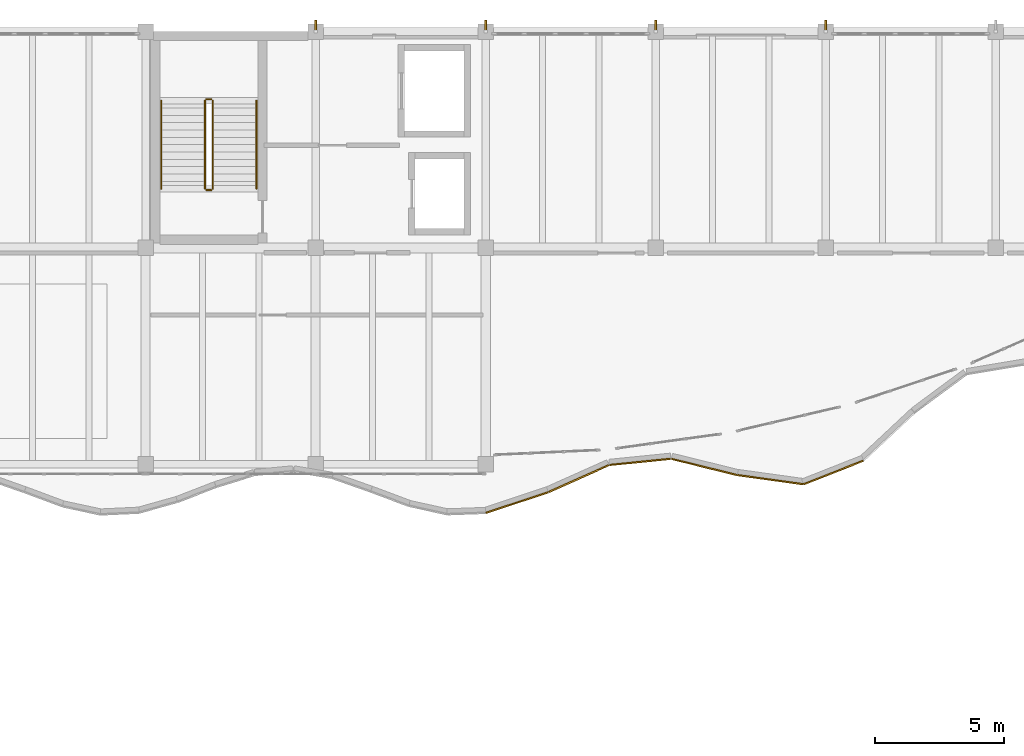
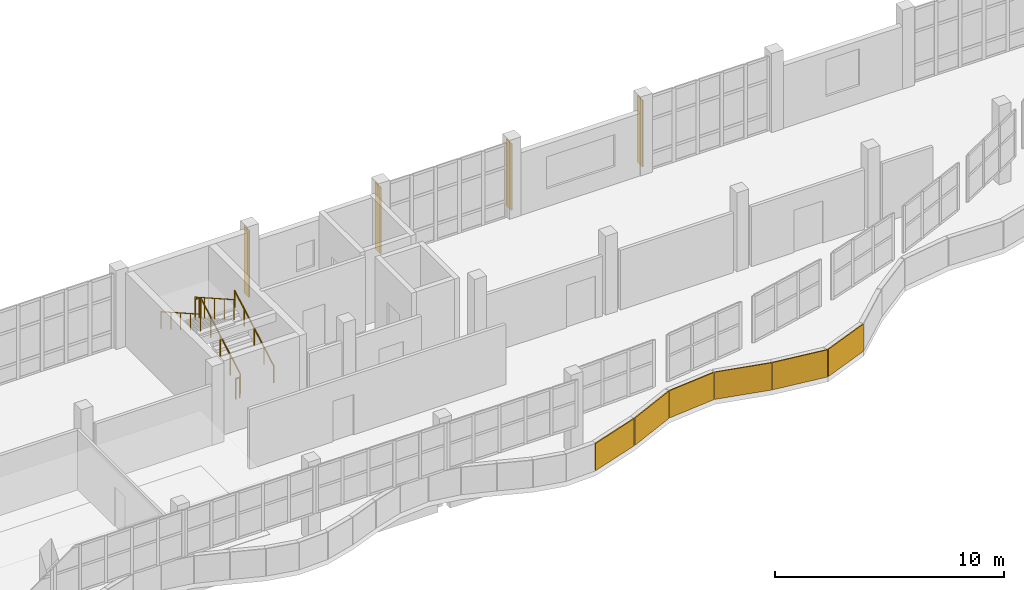
# One storey, part 69 of 74: 6 coverings, 6 railings, 4 shading devices.
"""IFC4 building model written with IfcOpenShell, lengths in metres."""

from ifc_helpers import new_model, si_unit, direction, frame, origin, origin_2d, place, context, subcontext, project, spatial, rectangle, circle, extrude, material, layer, layer_set, type_object, element, save


model = new_model("IFC4")

# Units and contexts
model_context = context("Model", 3, precision=1e-05, world=origin(), true_north=direction((0.0, 1.0)))
body_context = subcontext(model_context, "Body", "Model", "MODEL_VIEW")
ifc_project = project(units=[si_unit("LENGTHUNIT", "METRE"), si_unit("AREAUNIT", "SQUARE_METRE"), si_unit("VOLUMEUNIT", "CUBIC_METRE"), si_unit("PLANEANGLEUNIT", "RADIAN"), si_unit("MASSUNIT", "GRAM", prefix="KILO")], contexts=[model_context])

# Site, building, storey
site_placement = place(None, origin())
site = spatial("IfcSite", under=ifc_project, at=site_placement, CompositionType="ELEMENT")
building_placement = place(site_placement, origin())
building = spatial("IfcBuilding", under=site, at=building_placement, Name="Qaldarim Faculty of Natural and Applied Sciences", CompositionType="ELEMENT")
storey_placement = place(building_placement, frame((0.0, 0.0, 14.39990234375)))
storey = spatial("IfcBuildingStorey", under=building, at=storey_placement, Name="L03", CompositionType="ELEMENT", Elevation=14.39990234375)

# Railings
ifc_material_1 = material(Name="Architectural stainless steel 316", Category="steel")
railing_type_1 = type_object("IfcRailingType", Name="GuardBalustrade-1100", PredefinedType="BALUSTRADE", material=ifc_material_1)
railing_1_placement = place(storey_placement, frame((101.60009765625, 111.5, 0.16015625)))
element("IfcRailing", 1, at=railing_1_placement, inside=storey, type_object=railing_type_1, Name="ST-B1 L03 stair well guard 1", PredefinedType="BALUSTRADE", context=body_context, shape_type="SweptSolid", body=[
    extrude(circle(Radius=0.02392578125, at=origin_2d()), frame((0.0, 0.0, 1.076171875), z_axis=(0.0, 0.869805479697, 0.493394798806), x_axis=(-1.0, 0.0, 0.0)), (0.0, 0.0, 1.0), 3.931884765625),
    extrude(circle(Radius=0.02099609375, at=origin_2d()), origin(), (0.0, 0.0, 1.0), 1.052001953125),
    extrude(circle(Radius=0.02099609375, at=origin_2d()), frame((0.0, 0.85498046875, 0.48486328125)), (0.0, 0.0, 1.0), 1.052001953125),
    extrude(circle(Radius=0.02099609375, at=origin_2d()), frame((0.0, 1.7099609375, 0.969970703125)), (0.0, 0.0, 1.0), 1.052001953125),
    extrude(circle(Radius=0.02099609375, at=origin_2d()), frame((0.0, 2.56494140625, 1.455078125)), (0.0, 0.0, 1.0), 1.052001953125),
    extrude(circle(Radius=0.02099609375, at=origin_2d()), frame((0.0, 3.419921875, 1.93994140625)), (0.0, 0.0, 1.0), 1.052001953125),
])
railing_2_placement = place(storey_placement, frame((101.550048828125, 114.969970703125, 2.10009765625)))
element("IfcRailing", 2, at=railing_2_placement, inside=storey, type_object=railing_type_1, Name="ST-B1 L03 stair well guard 2", PredefinedType="BALUSTRADE", context=body_context, shape_type="SweptSolid", body=[
    extrude(circle(Radius=0.02392578125, at=origin_2d()), frame((0.0, 0.0, 1.076171875), z_axis=(-1.0, 0.0, 0.0), x_axis=(0.0, -1.0, 0.0)), (0.0, 0.0, 1.0), 0.199951171875),
    extrude(circle(Radius=0.02099609375, at=origin_2d()), origin(), (0.0, 0.0, 1.0), 1.052001953125),
    extrude(circle(Radius=0.02099609375, at=origin_2d()), frame((-0.199951171875, 0.0, 0.0)), (0.0, 0.0, 1.0), 1.052001953125),
])
railing_3_placement = place(storey_placement, frame((101.300048828125, 114.919921875, 2.260009765625)))
element("IfcRailing", 3, at=railing_3_placement, inside=storey, type_object=railing_type_1, Name="ST-B1 L03 stair well guard 3", PredefinedType="BALUSTRADE", context=body_context, shape_type="SweptSolid", body=[
    extrude(circle(Radius=0.02392578125, at=origin_2d()), frame((0.0, 0.0, 1.076171875), z_axis=(0.0, -0.869778831362, 0.493441774189), x_axis=(1.0, 0.0, 0.0)), (0.0, 0.0, 1.0), 3.931884765625),
    extrude(circle(Radius=0.02099609375, at=origin_2d()), origin(), (0.0, 0.0, 1.0), 1.052001953125),
    extrude(circle(Radius=0.02099609375, at=origin_2d()), frame((0.0, -0.85498046875, 0.485107421875)), (0.0, 0.0, 1.0), 1.052001953125),
    extrude(circle(Radius=0.02099609375, at=origin_2d()), frame((0.0, -1.7099609375, 0.97021484375)), (0.0, 0.0, 1.0), 1.052001953125),
    extrude(circle(Radius=0.02099609375, at=origin_2d()), frame((0.0, -2.56494140625, 1.455078125)), (0.0, 0.0, 1.0), 1.052001953125),
    extrude(circle(Radius=0.02099609375, at=origin_2d()), frame((0.0, -3.419921875, 1.940185546875)), (0.0, 0.0, 1.0), 1.052001953125),
])
railing_4_placement = place(storey_placement, frame((101.550048828125, 111.449951171875, 0.0)))
element("IfcRailing", 4, at=railing_4_placement, inside=storey, type_object=railing_type_1, Name="ST-B1 L03 stair well guard 4", PredefinedType="BALUSTRADE", context=body_context, shape_type="SweptSolid", body=[
    extrude(circle(Radius=0.02392578125, at=origin_2d()), frame((0.0, 0.0, 1.076171875), z_axis=(-1.0, 0.0, 0.0), x_axis=(0.0, -1.0, 0.0)), (0.0, 0.0, 1.0), 0.199951171875),
    extrude(circle(Radius=0.02099609375, at=origin_2d()), origin(), (0.0, 0.0, 1.0), 1.052001953125),
    extrude(circle(Radius=0.02099609375, at=origin_2d()), frame((-0.199951171875, 0.0, 0.0)), (0.0, 0.0, 1.0), 1.052001953125),
])

# Coverings
ifc_material_2 = material(Name="White architectural precast concrete C40/50", Category="concrete")
ifc_layer_1 = layer(ifc_material_2, 0.06005859375)
ifc_layer_set_1 = layer_set([ifc_layer_1], Name="White architectural precast concrete C40/50")
covering_type = type_object("IfcCoveringType", Name="LimestoneSpandrelCladding-60", PredefinedType="CLADDING", material=ifc_layer_set_1)
covering_1_placement = place(storey_placement, frame((113.409912109375, 99.31494140625, 0.0), z_axis=(0.0, 0.0, 1.0), x_axis=(0.94907415247, 0.315052778298, 0.0)))
element("IfcCovering", 5, at=covering_1_placement, inside=storey, type_object=covering_type, Name="White limestone wave band fascia L03 chord 54", PredefinedType="CLADDING", context=body_context, shape_type="SweptSolid", body=[
    extrude(rectangle(XDim=2.530029296875, YDim=0.06005859375, at=origin_2d()), origin(), (0.0, 0.0, 1.0), 1.449951171875),
])
covering_2_placement = place(storey_placement, frame((115.81005859375, 100.2451171875, 0.0), z_axis=(0.0, 0.0, 1.0), x_axis=(0.912933923935, 0.408107400727, 0.0)))
element("IfcCovering", 6, at=covering_2_placement, inside=storey, type_object=covering_type, Name="White limestone wave band fascia L03 chord 55", PredefinedType="CLADDING", context=body_context, shape_type="SweptSolid", body=[
    extrude(rectangle(XDim=2.544921875, YDim=0.06005859375, at=origin_2d()), origin(), (0.0, 0.0, 1.0), 1.449951171875),
])
covering_3_placement = place(storey_placement, frame((118.18994140625, 100.89501953125, 0.0), z_axis=(0.0, 0.0, 1.0), x_axis=(0.99499645724, 0.099910210084, 0.0)))
element("IfcCovering", 7, at=covering_3_placement, inside=storey, type_object=covering_type, Name="White limestone wave band fascia L03 chord 56", PredefinedType="CLADDING", context=body_context, shape_type="SweptSolid", body=[
    extrude(rectangle(XDim=2.360107421875, YDim=0.06005859375, at=origin_2d()), origin(), (0.0, 0.0, 1.0), 1.449951171875),
])
covering_4_placement = place(storey_placement, frame((120.679931640625, 100.699951171875, 0.0), z_axis=(0.0, 0.0, 1.0), x_axis=(0.971030107613, -0.238957172125, 0.0)))
element("IfcCovering", 8, at=covering_4_placement, inside=storey, type_object=covering_type, Name="White limestone wave band fascia L03 chord 57", PredefinedType="CLADDING", context=body_context, shape_type="SweptSolid", body=[
    extrude(rectangle(XDim=2.594970703125, YDim=0.06005859375, at=origin_2d()), origin(), (0.0, 0.0, 1.0), 1.449951171875),
])
covering_5_placement = place(storey_placement, frame((123.2548828125, 100.205078125, 0.0), z_axis=(0.0, 0.0, 1.0), x_axis=(0.990550200256, -0.137150649918, 0.0)))
element("IfcCovering", 9, at=covering_5_placement, inside=storey, type_object=covering_type, Name="White limestone wave band fascia L03 chord 58", PredefinedType="CLADDING", context=body_context, shape_type="SweptSolid", body=[
    extrude(rectangle(XDim=2.5849609375, YDim=0.06005859375, at=origin_2d()), origin(), (0.0, 0.0, 1.0), 1.449951171875),
])
covering_6_placement = place(storey_placement, frame((125.705078125, 100.485107421875, 0.0), z_axis=(0.0, 0.0, 1.0), x_axis=(0.93011661228, 0.367264329278, 0.0)))
element("IfcCovering", 10, at=covering_6_placement, inside=storey, type_object=covering_type, Name="White limestone wave band fascia L03 chord 59", PredefinedType="CLADDING", context=body_context, shape_type="SweptSolid", body=[
    extrude(rectangle(XDim=2.465087890625, YDim=0.06005859375, at=origin_2d()), origin(), (0.0, 0.0, 1.0), 1.449951171875),
])

# Railings
railing_type_2 = type_object("IfcRailingType", Name="StairHandrail-920", PredefinedType="HANDRAIL", material=ifc_material_1)
railing_5_placement = place(storey_placement, frame((103.300048828125, 111.5, 0.16015625)))
element("IfcRailing", 11, at=railing_5_placement, inside=storey, type_object=railing_type_2, Name="ST-B1 L03 stair handrail 1", PredefinedType="HANDRAIL", context=body_context, shape_type="SweptSolid", body=[
    extrude(circle(Radius=0.02392578125, at=origin_2d()), frame((0.0, 0.0, 0.89599609375), z_axis=(0.0, 0.869805479697, 0.493394798806), x_axis=(-1.0, 0.0, 0.0)), (0.0, 0.0, 1.0), 3.931884765625),
    extrude(circle(Radius=0.02099609375, at=origin_2d()), origin(), (0.0, 0.0, 1.0), 0.871826171875),
    extrude(circle(Radius=0.02099609375, at=origin_2d()), frame((0.0, 0.85498046875, 0.48486328125)), (0.0, 0.0, 1.0), 0.871826171875),
    extrude(circle(Radius=0.02099609375, at=origin_2d()), frame((0.0, 1.7099609375, 0.969970703125)), (0.0, 0.0, 1.0), 0.871826171875),
    extrude(circle(Radius=0.02099609375, at=origin_2d()), frame((0.0, 2.56494140625, 1.455078125)), (0.0, 0.0, 1.0), 0.871826171875),
    extrude(circle(Radius=0.02099609375, at=origin_2d()), frame((0.0, 3.419921875, 1.93994140625)), (0.0, 0.0, 1.0), 0.871826171875),
])
railing_6_placement = place(storey_placement, frame((99.60009765625, 114.919921875, 2.260009765625)))
element("IfcRailing", 12, at=railing_6_placement, inside=storey, type_object=railing_type_2, Name="ST-B1 L03 stair handrail 2", PredefinedType="HANDRAIL", context=body_context, shape_type="SweptSolid", body=[
    extrude(circle(Radius=0.02392578125, at=origin_2d()), frame((0.0, 0.0, 0.89599609375), z_axis=(0.0, -0.869778831362, 0.493441774189), x_axis=(1.0, 0.0, 0.0)), (0.0, 0.0, 1.0), 3.931884765625),
    extrude(circle(Radius=0.02099609375, at=origin_2d()), origin(), (0.0, 0.0, 1.0), 0.871826171875),
    extrude(circle(Radius=0.02099609375, at=origin_2d()), frame((0.0, -0.85498046875, 0.485107421875)), (0.0, 0.0, 1.0), 0.871826171875),
    extrude(circle(Radius=0.02099609375, at=origin_2d()), frame((0.0, -1.7099609375, 0.97021484375)), (0.0, 0.0, 1.0), 0.871826171875),
    extrude(circle(Radius=0.02099609375, at=origin_2d()), frame((0.0, -2.56494140625, 1.455078125)), (0.0, 0.0, 1.0), 0.871826171875),
    extrude(circle(Radius=0.02099609375, at=origin_2d()), frame((0.0, -3.419921875, 1.940185546875)), (0.0, 0.0, 1.0), 0.871826171875),
])

# Shading devices
ifc_material_3 = material(Name="Champagne anodised aluminium AW-6063", Category="aluminium")
ifc_layer_2 = layer(ifc_material_3, 0.06005859375)
ifc_layer_set_2 = layer_set([ifc_layer_2], Name="Champagne anodised aluminium AW-6063")
shading_device_type = type_object("IfcShadingDeviceType", Name="VerticalSunFin-ALU450x60", PredefinedType="SHUTTER", material=ifc_layer_set_2)
for number, where, z_axis, x_axis, name in (
    (13, (105.60009765625, 117.824951171875, 0.2001953125), (0.0, 0.0, 1.0), (1.0, 0.0, 0.0), "North pier fin FIN-V4N-L03-X17"),
    (14, (112.199951171875, 117.824951171875, 0.2001953125), (0.0, 0.0, 1.0), (1.0, 0.0, 0.0), "North pier fin FIN-V4N-L03-X18"),
    (15, (118.800048828125, 117.824951171875, 0.2001953125), (0.0, 0.0, 1.0), (1.0, 0.0, 0.0), "North pier fin FIN-V4N-L03-X19"),
    (16, (125.39990234375, 117.824951171875, 0.2001953125), (0.0, 0.0, 1.0), (1.0, 0.0, 0.0), "North pier fin FIN-V4N-L03-X20"),
):
    element("IfcShadingDevice", number, at=place(storey_placement, frame(where, z_axis=z_axis, x_axis=x_axis)), inside=storey, type_object=shading_device_type, Name=name, PredefinedType="SHUTTER", context=body_context, shape_type="SweptSolid", body=[
        extrude(rectangle(XDim=0.06005859375, YDim=0.449951171875, at=origin_2d()), origin(), (0.0, 0.0, 1.0), 3.5400390625),
    ])

save(model, "model.ifc")
